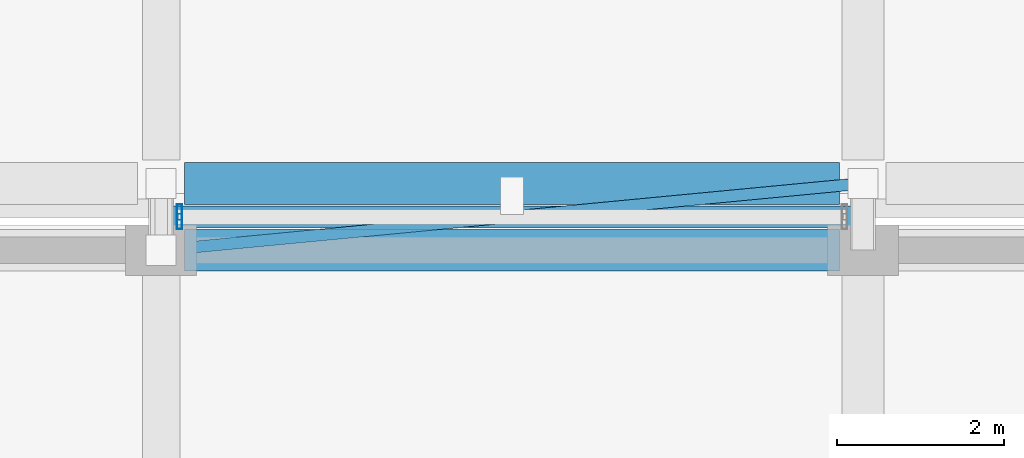
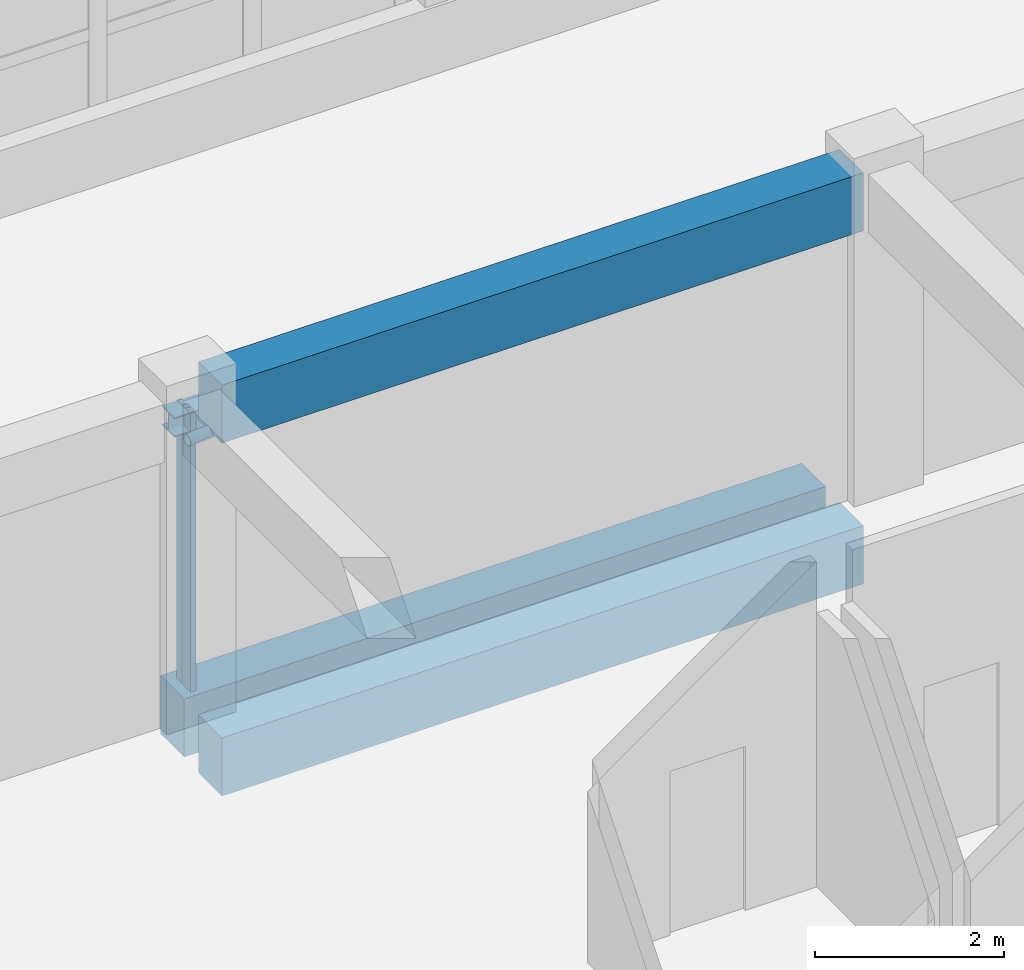
# One storey, part 16 of 129: 4 beams, 3 members, 1 element without a shape of its own.
"""IFC4 building model written with IfcOpenShell, lengths in metres."""

import ifcopenshell
import ifcopenshell.guid

model = None  # the IFC model being written
_history = None  # IfcOwnerHistory: only IFC2X3 demands one
_inside = {}  # id of a spatial element -> (the spatial element, [elements in it])
_under = {}  # id of a project, library or spatial element -> (it, [spatial elements below it])
_declared = {}  # id of a project -> (the project, [libraries it declares])
_typed = {}  # id of a type object -> (the type object, [elements of that type])
_made_of = {}  # id of a material, layer set ... -> (it, [elements and type objects made of it])


def new_model(schema):
    """Start an empty IFC model of exactly this schema.

    Asked for "IFC4X3", IfcOpenShell would pick the latest addendum, in which some entities
    have other attributes; the version numbers below select the first issue.
    IFC2X3 requires an IfcOwnerHistory on every rooted entity: one is made here for all.
    """
    global model, _history
    if schema == "IFC4X3":
        model = ifcopenshell.file(schema_version=(4, 3, 0, 0))
    else:
        model = ifcopenshell.file(schema=schema)
    _inside.clear()
    _under.clear()
    _declared.clear()
    _typed.clear()
    _made_of.clear()
    _history = None
    if model.schema == "IFC2X3":
        org = make("IfcOrganization", Name="unknown")
        user = make(
            "IfcPersonAndOrganization",
            ThePerson=make("IfcPerson", FamilyName="unknown"),
            TheOrganization=org,
        )
        app = make(
            "IfcApplication",
            ApplicationDeveloper=org,
            Version="unknown",
            ApplicationFullName="unknown",
            ApplicationIdentifier="unknown",
        )
        _history = make(
            "IfcOwnerHistory",
            OwningUser=user,
            OwningApplication=app,
            ChangeAction="ADDED",
            CreationDate=0,
        )
    return model


def make(cls, **values):
    """One entity of the class cls with the attributes given. An attribute that is None is left unset."""
    return model.create_entity(
        cls, **{name: value for name, value in values.items() if value is not None}
    )


def rooted(cls, **values):
    """An entity with a GlobalId (a new one), such as an element, a storey or a relation."""
    return make(cls, GlobalId=ifcopenshell.guid.new(), OwnerHistory=_history, **values)


def si_unit(unit_type, name, prefix=None):
    """IfcSIUnit, for example si_unit("LENGTHUNIT", "METRE", prefix="MILLI")."""
    return make("IfcSIUnit", UnitType=unit_type, Prefix=prefix, Name=name)


def assignment(units):
    """IfcUnitAssignment: the units of a project."""
    return None if units is None else make("IfcUnitAssignment", Units=units)


def point(xyz):
    """IfcCartesianPoint."""
    return None if xyz is None else make("IfcCartesianPoint", Coordinates=xyz)


def direction(xyz):
    """IfcDirection."""
    return None if xyz is None else make("IfcDirection", DirectionRatios=xyz)


def frame(location, z_axis=None, x_axis=None):
    """IfcAxis2Placement3D, a coordinate frame: its origin and axes. An axis left out is left unset."""
    return make(
        "IfcAxis2Placement3D",
        Location=point(location),
        Axis=direction(z_axis),
        RefDirection=direction(x_axis),
    )


def frame_2d(location, x_axis=None):
    """IfcAxis2Placement2D, a coordinate frame in the plane: its origin and x axis."""
    return make(
        "IfcAxis2Placement2D", Location=point(location), RefDirection=direction(x_axis)
    )


def origin():
    """The frame at (0, 0, 0) with its axes left unset."""
    return frame((0.0, 0.0, 0.0))


def origin_2d():
    """The frame at (0, 0) in the plane with its x axis left unset."""
    return frame_2d((0.0, 0.0))


def place(relative_to, where):
    """IfcLocalPlacement: puts the frame where relative to a parent placement (None: the world)."""
    return make(
        "IfcLocalPlacement", PlacementRelTo=relative_to, RelativePlacement=where
    )


def context(
    kind, dimensions, precision=None, world=None, true_north=None, identifier=None
):
    """IfcGeometricRepresentationContext, for example the 3D "Model" context."""
    return make(
        "IfcGeometricRepresentationContext",
        ContextIdentifier=identifier,
        ContextType=kind,
        CoordinateSpaceDimension=dimensions,
        Precision=precision,
        WorldCoordinateSystem=world,
        TrueNorth=true_north,
    )


def subcontext(parent, identifier, kind, view, scale=None):
    """IfcGeometricRepresentationSubContext, for example "Body" below "Model"."""
    return make(
        "IfcGeometricRepresentationSubContext",
        ContextIdentifier=identifier,
        ContextType=kind,
        ParentContext=parent,
        TargetScale=scale,
        TargetView=view,
    )


def project(units=None, contexts=None):
    """IfcProject with its units and contexts."""
    return rooted(
        "IfcProject",
        Name="project",
        RepresentationContexts=contexts,
        UnitsInContext=assignment(units),
    )


def spatial(cls, under=None, at=None, **own):
    """A site, building, storey or space (cls), placed at a placement, below another one or the project."""
    s = rooted(cls, ObjectPlacement=at, **own)
    if under is not None:
        _under.setdefault(under.id(), (under, []))[1].append(s)
    return s


def profile(cls, at=None, kind="AREA", **sizes):
    """A parametric profile (cls). Its sizes go by their IFC names, for example OverallWidth=200.0."""
    return make(cls, ProfileType=kind, Position=at, **sizes)


def rectangle(**sizes):
    """IfcRectangleProfileDef."""
    return profile("IfcRectangleProfileDef", **sizes)


def hollow_rectangle(**sizes):
    """IfcRectangleHollowProfileDef."""
    return profile("IfcRectangleHollowProfileDef", **sizes)


def hollow_circle(**sizes):
    """IfcCircleHollowProfileDef."""
    return profile("IfcCircleHollowProfileDef", **sizes)


def i_section(**sizes):
    """IfcIShapeProfileDef."""
    return profile("IfcIShapeProfileDef", **sizes)


def extrude(swept, where, along, depth):
    """IfcExtrudedAreaSolid: the profile swept, set in the frame where, extruded along a direction by depth."""
    return make(
        "IfcExtrudedAreaSolid",
        SweptArea=swept,
        Position=where,
        ExtrudedDirection=direction(along),
        Depth=depth,
    )


def shape(context_of_items, identifier, shape_type, items):
    """IfcShapeRepresentation: the items that make up one representation, for example the "Body"."""
    return make(
        "IfcShapeRepresentation",
        ContextOfItems=context_of_items,
        RepresentationIdentifier=identifier,
        RepresentationType=shape_type,
        Items=items,
    )


def material(Name=None, Category=None):
    """IfcMaterial."""
    return make("IfcMaterial", Name=Name, Category=Category)


def layer(
    of_material, thickness, ventilated=None, Name=None, Category=None, Priority=None
):
    """IfcMaterialLayer: one layer of a wall or slab, of a material (None: an air gap)."""
    return make(
        "IfcMaterialLayer",
        Material=of_material,
        LayerThickness=thickness,
        IsVentilated=ventilated,
        Name=Name,
        Category=Category,
        Priority=Priority,
    )


def layer_set(layers, Name=None):
    """IfcMaterialLayerSet."""
    return make("IfcMaterialLayerSet", MaterialLayers=layers, LayerSetName=Name)


def material_profile(
    of_material, cross_section, Name=None, Category=None, Priority=None
):
    """IfcMaterialProfile: a cross section and its material."""
    return make(
        "IfcMaterialProfile",
        Name=Name,
        Material=of_material,
        Profile=cross_section,
        Priority=Priority,
        Category=Category,
    )


def profile_set(profiles, Name=None, composite=None):
    """IfcMaterialProfileSet."""
    return make(
        "IfcMaterialProfileSet",
        Name=Name,
        MaterialProfiles=profiles,
        CompositeProfile=composite,
    )


def made_of(thing, what):
    """Note that an element or type object is made of a material, layer set ...; save() writes the relation."""
    if what is not None:
        _made_of.setdefault(what.id(), (what, []))[1].append(thing)
    return thing


def type_object(cls, material=None, **own):
    """A type object (cls), such as IfcWallType, which elements share."""
    return made_of(rooted(cls, **own), material)


def element(
    cls,
    number,
    at=None,
    inside=None,
    cuts=None,
    type_object=None,
    material=None,
    context=None,
    identifier="Body",
    shape_type=None,
    held_by="IfcProductDefinitionShape",
    body=None,
    shapes=None,
    **own,
):
    """One element of the class cls, such as IfcWall. Its Tag is "e" and its number.

    at: its placement. inside: the storey or other place that contains it. cuts: it is an
    opening in that element (IfcRelVoidsElement). A single representation is given by context,
    identifier, shape_type and body (its items); several are given by shapes. held_by: the class
    of the entity that holds the representations. save() writes the other relations.
    """
    e = rooted(cls, Tag="e%d" % number, ObjectPlacement=at, **own)
    if body is not None:
        shapes = [shape(context, identifier, shape_type, body)]
    if shapes is not None:
        e.Representation = make(held_by, Representations=shapes)
    if inside is not None:
        _inside.setdefault(inside.id(), (inside, []))[1].append(e)
    if cuts is not None:
        rooted(
            "IfcRelVoidsElement", RelatingBuildingElement=cuts, RelatedOpeningElement=e
        )
    if type_object is not None:
        _typed.setdefault(type_object.id(), (type_object, []))[1].append(e)
    return made_of(e, material)


def aggregate(whole, parts):
    """IfcRelAggregates: a whole, such as a stair, and the parts it consists of."""
    return rooted("IfcRelAggregates", RelatingObject=whole, RelatedObjects=parts)


def save(model, path):
    """Write the relations noted so far, then the file.

    IfcRelAggregates (storeys below a building ...), IfcRelContainedInSpatialStructure (elements
    in a storey), IfcRelDefinesByType, IfcRelAssociatesMaterial and IfcRelDeclares: one each for
    every whole, place, type object, material and project.
    """
    for whole, parts in _under.values():
        aggregate(whole, parts)
    for where, things in _inside.values():
        rooted(
            "IfcRelContainedInSpatialStructure",
            RelatedElements=things,
            RelatingStructure=where,
        )
    for kind, things in _typed.values():
        rooted("IfcRelDefinesByType", RelatedObjects=things, RelatingType=kind)
    for what, things in _made_of.values():
        rooted("IfcRelAssociatesMaterial", RelatedObjects=things, RelatingMaterial=what)
    for by, libraries in _declared.values():
        rooted("IfcRelDeclares", RelatingContext=by, RelatedDefinitions=libraries)
    model.write(path)


model = new_model("IFC4")

# Units and contexts
model_context = context("Model", 3, precision=1e-05, world=origin(), true_north=direction((0.0, 1.0)))
body_context = subcontext(model_context, "Body", "Model", "MODEL_VIEW")
ifc_project = project(units=[si_unit("LENGTHUNIT", "METRE"), si_unit("AREAUNIT", "SQUARE_METRE"), si_unit("VOLUMEUNIT", "CUBIC_METRE"), si_unit("PLANEANGLEUNIT", "RADIAN"), si_unit("MASSUNIT", "GRAM", prefix="KILO")], contexts=[model_context])

# Site, building, storey
site_placement = place(None, origin())
site = spatial("IfcSite", under=ifc_project, at=site_placement, CompositionType="ELEMENT")
building_placement = place(site_placement, origin())
building = spatial("IfcBuilding", under=site, at=building_placement, Name="Xazarin Passage Department Store", CompositionType="ELEMENT")
storey_placement = place(building_placement, frame((0.0, 0.0, 9.89990234375)))
storey = spatial("IfcBuildingStorey", under=building, at=storey_placement, Name="L02", CompositionType="ELEMENT", Elevation=9.89990234375)

# Curtain wall, members
ifc_material_1 = material(Name="Bronze anodised aluminium", Category="aluminium")
ifc_layer = layer(ifc_material_1, 0.14990234375)
ifc_layer_set = layer_set([ifc_layer], Name="Bronze anodised aluminium")
curtain_wall_type = type_object("IfcCurtainWallType", Name="ARC-CW-BRG1", PredefinedType="NOTDEFINED", material=ifc_layer_set)
curtain_wall_placement = place(storey_placement, origin())
curtain_wall = element("IfcCurtainWall", 1, at=curtain_wall_placement, inside=storey, type_object=curtain_wall_type, Name="L02 BR-V1-V3 Bridge Curtain Wall 1", PredefinedType="NOTDEFINED")
ifc_material_profile_1 = material_profile(ifc_material_1, hollow_rectangle(XDim=0.06494140625, YDim=0.179931640625, WallThickness=0.00390625, at=origin_2d()), Name="ALU 65x180")
ifc_profile_set_1 = profile_set([ifc_material_profile_1], Name="Bronze anodised aluminium")
member_type_1 = type_object("IfcMemberType", Name="ARC-CWM-65x180", PredefinedType="MULLION", material=ifc_profile_set_1)
member_1_placement = place(storey_placement, frame((25.419921875, 50.742431640625, 0.0), z_axis=(0.0, 0.0, 1.0), x_axis=(-1.0, 0.0, 0.0)))
member_1 = element("IfcMember", 2, at=member_1_placement, type_object=member_type_1, Name="CW7 mullion 1", PredefinedType="MULLION", context=body_context, shape_type="SweptSolid", body=[
    extrude(hollow_rectangle(XDim=0.06494140625, YDim=0.179931640625, WallThickness=0.00390625, at=origin_2d()), origin(), (0.0, 0.0, 1.0), 3.60009765625),
])
member_2_placement = place(storey_placement, frame((25.419921875, 50.857421875, 0.0), z_axis=(0.0, 0.0, 1.0), x_axis=(-1.0, 0.0, 0.0)))
member_2 = element("IfcMember", 3, at=member_2_placement, type_object=member_type_1, Name="CW7 mullion 2", PredefinedType="MULLION", context=body_context, shape_type="SweptSolid", body=[
    extrude(hollow_rectangle(XDim=0.06494140625, YDim=0.179931640625, WallThickness=0.00390625, at=origin_2d()), origin(), (0.0, 0.0, 1.0), 3.60009765625),
])
aggregate(curtain_wall, [member_1, member_2])

# Beams
ifc_material_2 = material(Name="Steel S355", Category="steel")
ifc_material_profile_2 = material_profile(ifc_material_2, i_section(OverallWidth=0.260009765625, OverallDepth=0.25, WebThickness=0.007568359375, FlangeThickness=0.012451171875, FilletRadius=0.02392578125, at=origin_2d()), Name="HEA 260")
ifc_profile_set_2 = profile_set([ifc_material_profile_2], Name="Steel S355")
beam_type_1 = type_object("IfcBeamType", Name="STR-BM-CAN260", PredefinedType="BEAM", material=ifc_profile_set_2)
beam_placement = place(storey_placement, frame((25.199951171875, 50.800048828125, 3.47509765625), z_axis=(1.0, 0.0, 0.0), x_axis=(0.0, 1.0, 0.0)))
element("IfcBeam", 4, at=beam_placement, inside=storey, type_object=beam_type_1, Name="L02 BR-V1-V3 Bridge Roof Mid Beam", PredefinedType="BEAM", context=body_context, shape_type="SweptSolid", body=[
    extrude(i_section(OverallWidth=0.260009765625, OverallDepth=0.25, WebThickness=0.007568359375, FlangeThickness=0.012451171875, FilletRadius=0.02392578125, at=origin_2d()), origin(), (0.0, 0.0, 1.0), 8.400146484375),
])
ifc_material_3 = material(Name="Concrete C35/45", Category="concrete")
ifc_material_profile_3 = material_profile(ifc_material_3, rectangle(XDim=0.5, YDim=0.75, at=origin_2d()), Name="RC 500x750")
ifc_profile_set_3 = profile_set([ifc_material_profile_3], Name="Concrete C35/45")
beam_type_2 = type_object("IfcBeamType", Name="STR-BM-SP500x750", PredefinedType="SPANDREL", material=ifc_profile_set_3)
for number, where, z_axis, x_axis, name in (
    (5, (25.47998046875, 51.199951171875, -0.6748046875), (1.0, 0.0, 0.0), (0.0, 1.0, 0.0), "L02 Grid Beam H/4-5"),
    (6, (25.47998046875, 50.39990234375, -0.69482421875), (1.0, 0.0, 0.0), (0.0, 1.0, 0.0), "L02 Grid Beam G/4-5"),
    (7, (25.47998046875, 50.39990234375, 3.864990234375), (1.0, 0.0, 0.0), (0.0, 1.0, 0.0), "L02 Grid Beam G/4-5"),
):
    element("IfcBeam", number, at=place(storey_placement, frame(where, z_axis=z_axis, x_axis=x_axis)), inside=storey, type_object=beam_type_2, Name=name, PredefinedType="SPANDREL", context=body_context, shape_type="SweptSolid", body=[
        extrude(rectangle(XDim=0.5, YDim=0.75, at=origin_2d()), origin(), (0.0, 0.0, 1.0), 7.840087890625),
    ])

# Member
ifc_material_profile_4 = material_profile(ifc_material_2, hollow_circle(Radius=0.06982421875, WallThickness=0.008056640625, at=origin_2d()), Name="CHS 139.7x8")
ifc_profile_set_4 = profile_set([ifc_material_profile_4], Name="Steel S355")
member_type_2 = type_object("IfcMemberType", Name="STR-MEM-BR140", PredefinedType="BRACE", material=ifc_profile_set_4)
member_3_placement = place(storey_placement, frame((25.199951171875, 50.39990234375, 3.47509765625), z_axis=(0.995495082479, 0.094813188749, 0.0), x_axis=(-0.094813188749, 0.995495082479, 0.0)))
element("IfcMember", 8, at=member_3_placement, inside=storey, type_object=member_type_2, Name="L02 BR-V1-V3 Bridge Roof Wind Diagonal", PredefinedType="BRACE", context=body_context, shape_type="SweptSolid", body=[
    extrude(hollow_circle(Radius=0.06982421875, WallThickness=0.008056640625, at=origin_2d()), origin(), (0.0, 0.0, 1.0), 8.438232421875),
])

save(model, "model.ifc")
